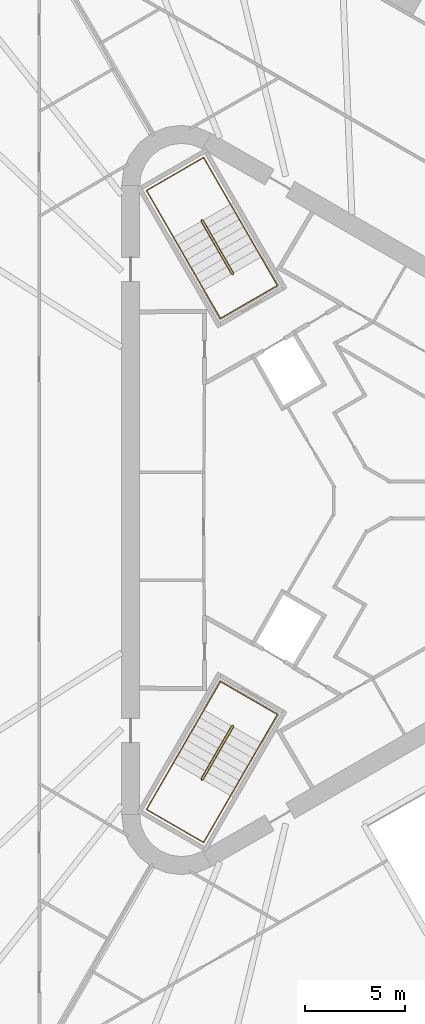
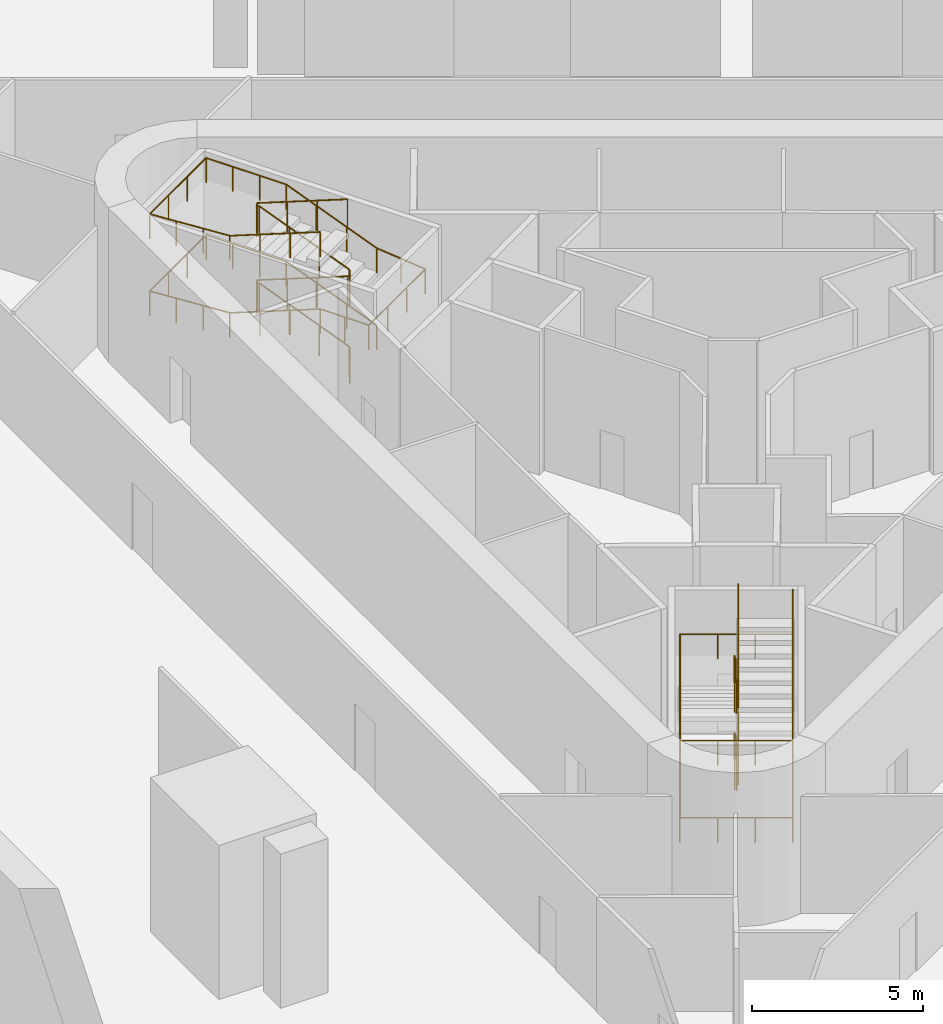
# One storey, part 12 of 13: 4 railings.
"""IFC4 building model written with IfcOpenShell, lengths in metres."""

from ifc_helpers import new_model, si_unit, direction, frame, origin, origin_2d, place, context, subcontext, project, spatial, circle, extrude, material, type_object, element, save


model = new_model("IFC4")

# Units and contexts
model_context = context("Model", 3, precision=1e-05, world=origin(), true_north=direction((0.0, 1.0)))
body_context = subcontext(model_context, "Body", "Model", "MODEL_VIEW")
ifc_project = project(units=[si_unit("LENGTHUNIT", "METRE"), si_unit("AREAUNIT", "SQUARE_METRE"), si_unit("VOLUMEUNIT", "CUBIC_METRE"), si_unit("PLANEANGLEUNIT", "RADIAN"), si_unit("MASSUNIT", "GRAM", prefix="KILO")], contexts=[model_context])

# Site, building, storey
site_placement = place(None, origin())
site = spatial("IfcSite", under=ifc_project, at=site_placement, CompositionType="ELEMENT")
building_placement = place(site_placement, origin())
building = spatial("IfcBuilding", under=site, at=building_placement, Name="Tanit Gate Tower", CompositionType="ELEMENT")
storey_placement = place(building_placement, frame((0.0, 0.0, -5.5)))
storey = spatial("IfcBuildingStorey", under=building, at=storey_placement, Name="B1", CompositionType="ELEMENT", Elevation=-5.5)

# Railings
ifc_material_1 = material(Name="Stainless steel balustrade", Category="steel")
railing_type_1 = type_object("IfcRailingType", Name="INT-STAIR-GUARD", PredefinedType="GUARDRAIL", material=ifc_material_1)
railing_1_placement = place(storey_placement, frame((-6.527099609375, 11.29345703125, 0.0)))
element("IfcRailing", 1, at=railing_1_placement, inside=storey, type_object=railing_type_1, Name="B1 S2 stair guard 1", PredefinedType="GUARDRAIL", context=body_context, shape_type="SweptSolid", body=[
    extrude(circle(Radius=0.02392578125, at=origin_2d()), frame((0.0, 0.0, 1.076171875), z_axis=(0.868243142124, 0.496138938357, 0.0), x_axis=(-0.496138938357, 0.868243142124, 0.0)), (0.0, 0.0, 1.0), 0.01171875),
    extrude(circle(Radius=0.02392578125, at=origin_2d()), frame((0.01025390625, 0.005859375, 1.076171875), z_axis=(0.098510316608, 0.367771848671, 0.924683505231), x_axis=(-0.965948051503, 0.258736085224, 0.0)), (0.0, 0.0, 1.0), 0.185791015625),
    extrude(circle(Radius=0.02392578125, at=origin_2d()), frame((0.028564453125, 0.07421875, 1.248046875), z_axis=(-0.465124729526, 0.805570708496, 0.367035174877), x_axis=(-0.866012246495, -0.500022788402, 0.0)), (0.0, 0.0, 1.0), 3.278076171875),
    extrude(circle(Radius=0.02392578125, at=origin_2d()), frame((-1.49609375, 2.71484375, 2.451171875), z_axis=(-0.965715946433, 0.259601060869, 0.0), x_axis=(-0.259601060869, -0.965715946433, 0.0)), (0.0, 0.0, 1.0), 0.070556640625),
    extrude(circle(Radius=0.02392578125, at=origin_2d()), frame((-1.564208984375, 2.733154296875, 2.451171875), z_axis=(-0.873197702015, -0.487366159264, 0.0), x_axis=(0.487366159264, -0.873197702015, 0.0)), (0.0, 0.0, 1.0), 0.011962890625),
    extrude(circle(Radius=0.02392578125, at=origin_2d()), frame((-1.57470703125, 2.727294921875, 2.451171875), z_axis=(-0.098510316608, -0.367771848671, 0.924683505231), x_axis=(0.965948051503, -0.258736085224, 0.0)), (0.0, 0.0, 1.0), 0.185791015625),
    extrude(circle(Radius=0.02392578125, at=origin_2d()), frame((-1.593017578125, 2.658935546875, 2.623046875), z_axis=(0.465124729526, -0.805570708496, 0.367035174877), x_axis=(0.866012246495, 0.500022788402, 0.0)), (0.0, 0.0, 1.0), 3.278076171875),
    extrude(circle(Radius=0.02392578125, at=origin_2d()), frame((-0.068359375, 0.018310546875, 3.826171875), z_axis=(0.965948051503, -0.258736085224, 0.0), x_axis=(0.258736085224, 0.965948051503, 0.0)), (0.0, 0.0, 1.0), 0.07080078125),
    extrude(circle(Radius=0.02392578125, at=origin_2d()), frame((0.0, 0.0, 3.826171875), z_axis=(0.868243142124, 0.496138938357, 0.0), x_axis=(-0.496138938357, 0.868243142124, 0.0)), (0.0, 0.0, 1.0), 0.01171875),
    extrude(circle(Radius=0.02392578125, at=origin_2d()), frame((0.01025390625, 0.005859375, 3.826171875), z_axis=(0.098510316608, 0.367771848671, 0.924683505231), x_axis=(-0.965948051503, 0.258736085224, 0.0)), (0.0, 0.0, 1.0), 0.185791015625),
    extrude(circle(Radius=0.02392578125, at=origin_2d()), frame((0.028564453125, 0.07421875, 3.998046875), z_axis=(-0.465124729526, 0.805570708496, 0.367035174877), x_axis=(-0.866012246495, -0.500022788402, 0.0)), (0.0, 0.0, 1.0), 3.278076171875),
    extrude(circle(Radius=0.02392578125, at=origin_2d()), frame((-1.49609375, 2.71484375, 5.201171875), z_axis=(-0.965715946433, 0.259601060869, 0.0), x_axis=(-0.259601060869, -0.965715946433, 0.0)), (0.0, 0.0, 1.0), 0.070556640625),
    extrude(circle(Radius=0.02392578125, at=origin_2d()), frame((-1.564208984375, 2.733154296875, 5.201171875), z_axis=(-0.873197702015, -0.487366159264, 0.0), x_axis=(0.487366159264, -0.873197702015, 0.0)), (0.0, 0.0, 1.0), 0.011962890625),
    extrude(circle(Radius=0.02392578125, at=origin_2d()), frame((-1.57470703125, 2.727294921875, 5.201171875), z_axis=(-0.098510316608, -0.367771848671, 0.924683505231), x_axis=(0.965948051503, -0.258736085224, 0.0)), (0.0, 0.0, 1.0), 0.185791015625),
    extrude(circle(Radius=0.02392578125, at=origin_2d()), frame((-1.593017578125, 2.658935546875, 5.373046875), z_axis=(0.465124729526, -0.805570708496, 0.367035174877), x_axis=(0.866012246495, 0.500022788402, 0.0)), (0.0, 0.0, 1.0), 3.278076171875),
    extrude(circle(Radius=0.02099609375, at=origin_2d()), origin(), (0.0, 0.0, 1.0), 1.052001953125),
    extrude(circle(Radius=0.02099609375, at=origin_2d()), frame((0.01025390625, 0.005859375, 0.0)), (0.0, 0.0, 1.0), 1.052001953125),
    extrude(circle(Radius=0.02099609375, at=origin_2d()), frame((0.028564453125, 0.07421875, 0.171875)), (0.0, 0.0, 1.0), 1.052001953125),
    extrude(circle(Radius=0.02099609375, at=origin_2d()), frame((-0.479736328125, 0.954345703125, 0.572998046875)), (0.0, 0.0, 1.0), 1.052001953125),
    extrude(circle(Radius=0.02099609375, at=origin_2d()), frame((-0.98779296875, 1.834716796875, 0.973876953125)), (0.0, 0.0, 1.0), 1.052001953125),
    extrude(circle(Radius=0.02099609375, at=origin_2d()), frame((-1.49609375, 2.71484375, 1.375)), (0.0, 0.0, 1.0), 1.052001953125),
    extrude(circle(Radius=0.02099609375, at=origin_2d()), frame((-1.564208984375, 2.733154296875, 1.375)), (0.0, 0.0, 1.0), 1.052001953125),
    extrude(circle(Radius=0.02099609375, at=origin_2d()), frame((-1.57470703125, 2.727294921875, 1.375)), (0.0, 0.0, 1.0), 1.052001953125),
    extrude(circle(Radius=0.02099609375, at=origin_2d()), frame((-1.593017578125, 2.658935546875, 1.546875)), (0.0, 0.0, 1.0), 1.052001953125),
    extrude(circle(Radius=0.02099609375, at=origin_2d()), frame((-1.084716796875, 1.77880859375, 1.947998046875)), (0.0, 0.0, 1.0), 1.052001953125),
    extrude(circle(Radius=0.02099609375, at=origin_2d()), frame((-0.57666015625, 0.8984375, 2.348876953125)), (0.0, 0.0, 1.0), 1.052001953125),
    extrude(circle(Radius=0.02099609375, at=origin_2d()), frame((-0.068359375, 0.018310546875, 2.75)), (0.0, 0.0, 1.0), 1.052001953125),
    extrude(circle(Radius=0.02099609375, at=origin_2d()), frame((0.0, 0.0, 2.75)), (0.0, 0.0, 1.0), 1.052001953125),
    extrude(circle(Radius=0.02099609375, at=origin_2d()), frame((0.01025390625, 0.005859375, 2.75)), (0.0, 0.0, 1.0), 1.052001953125),
    extrude(circle(Radius=0.02099609375, at=origin_2d()), frame((0.028564453125, 0.07421875, 2.921875)), (0.0, 0.0, 1.0), 1.052001953125),
    extrude(circle(Radius=0.02099609375, at=origin_2d()), frame((-0.479736328125, 0.954345703125, 3.322998046875)), (0.0, 0.0, 1.0), 1.052001953125),
    extrude(circle(Radius=0.02099609375, at=origin_2d()), frame((-0.98779296875, 1.834716796875, 3.723876953125)), (0.0, 0.0, 1.0), 1.052001953125),
    extrude(circle(Radius=0.02099609375, at=origin_2d()), frame((-1.49609375, 2.71484375, 4.125)), (0.0, 0.0, 1.0), 1.052001953125),
    extrude(circle(Radius=0.02099609375, at=origin_2d()), frame((-1.564208984375, 2.733154296875, 4.125)), (0.0, 0.0, 1.0), 1.052001953125),
    extrude(circle(Radius=0.02099609375, at=origin_2d()), frame((-1.57470703125, 2.727294921875, 4.125)), (0.0, 0.0, 1.0), 1.052001953125),
    extrude(circle(Radius=0.02099609375, at=origin_2d()), frame((-1.593017578125, 2.658935546875, 4.296875)), (0.0, 0.0, 1.0), 1.052001953125),
    extrude(circle(Radius=0.02099609375, at=origin_2d()), frame((-1.084716796875, 1.77880859375, 4.697998046875)), (0.0, 0.0, 1.0), 1.052001953125),
    extrude(circle(Radius=0.02099609375, at=origin_2d()), frame((-0.57666015625, 0.8984375, 5.098876953125)), (0.0, 0.0, 1.0), 1.052001953125),
    extrude(circle(Radius=0.02099609375, at=origin_2d()), frame((-0.068359375, 0.018310546875, 5.5)), (0.0, 0.0, 1.0), 1.052001953125),
])
railing_2_placement = place(storey_placement, frame((-6.51806640625, -11.2998046875, 0.0)))
element("IfcRailing", 2, at=railing_2_placement, inside=storey, type_object=railing_type_1, Name="B1 S3 stair guard 1", PredefinedType="GUARDRAIL", context=body_context, shape_type="SweptSolid", body=[
    extrude(circle(Radius=0.02392578125, at=origin_2d()), frame((0.0, 0.0, 1.076171875), z_axis=(-0.874157276122, 0.485642931179, 0.0), x_axis=(-0.485642931179, -0.874157276122, 0.0)), (0.0, 0.0, 1.0), 0.010009765625),
    extrude(circle(Radius=0.02392578125, at=origin_2d()), frame((-0.0087890625, 0.0048828125, 1.076171875), z_axis=(-0.367819126704, -0.097209340629, 0.924802375713), x_axis=(0.255512919477, -0.966805641264, 0.0)), (0.0, 0.0, 1.0), 0.185791015625),
    extrude(circle(Radius=0.02392578125, at=origin_2d()), frame((-0.0771484375, -0.01318359375, 1.248046875), z_axis=(-0.465104481216, -0.805669942413, 0.3668429711), x_axis=(0.866048339477, -0.499960272111, 0.0)), (0.0, 0.0, 1.0), 3.27978515625),
    extrude(circle(Radius=0.02392578125, at=origin_2d()), frame((-1.6025390625, -2.655517578125, 2.451171875), z_axis=(0.258736085224, -0.965948051503, 0.0), x_axis=(0.965948051503, 0.258736085224, 0.0)), (0.0, 0.0, 1.0), 0.07080078125),
    extrude(circle(Radius=0.02392578125, at=origin_2d()), frame((-1.584228515625, -2.723876953125, 2.451171875), z_axis=(0.868243142124, -0.496138938357, 0.0), x_axis=(0.496138938357, 0.868243142124, 0.0)), (0.0, 0.0, 1.0), 0.009765625),
    extrude(circle(Radius=0.02392578125, at=origin_2d()), frame((-1.57568359375, -2.728759765625, 2.451171875), z_axis=(0.367771848671, 0.098510316608, 0.924683505231), x_axis=(-0.258736085224, 0.965948051503, 0.0)), (0.0, 0.0, 1.0), 0.185791015625),
    extrude(circle(Radius=0.02392578125, at=origin_2d()), frame((-1.50732421875, -2.71044921875, 2.623046875), z_axis=(0.465190712783, 0.805615921545, 0.366852269578), x_axis=(-0.865993683553, 0.500054937028, 0.0)), (0.0, 0.0, 1.0), 3.279541015625),
    extrude(circle(Radius=0.02392578125, at=origin_2d()), frame((0.018310546875, -0.068359375, 3.826171875), z_axis=(-0.258736085224, 0.965948051503, 0.0), x_axis=(-0.965948051503, -0.258736085224, 0.0)), (0.0, 0.0, 1.0), 0.07080078125),
    extrude(circle(Radius=0.02392578125, at=origin_2d()), frame((0.0, 0.0, 3.826171875), z_axis=(-0.874157276122, 0.485642931179, 0.0), x_axis=(-0.485642931179, -0.874157276122, 0.0)), (0.0, 0.0, 1.0), 0.010009765625),
    extrude(circle(Radius=0.02392578125, at=origin_2d()), frame((-0.0087890625, 0.0048828125, 3.826171875), z_axis=(-0.367819126704, -0.097209340629, 0.924802375713), x_axis=(0.255512919477, -0.966805641264, 0.0)), (0.0, 0.0, 1.0), 0.185791015625),
    extrude(circle(Radius=0.02392578125, at=origin_2d()), frame((-0.0771484375, -0.01318359375, 3.998046875), z_axis=(-0.465104481216, -0.805669942413, 0.3668429711), x_axis=(0.866048339477, -0.499960272111, 0.0)), (0.0, 0.0, 1.0), 3.27978515625),
    extrude(circle(Radius=0.02392578125, at=origin_2d()), frame((-1.6025390625, -2.655517578125, 5.201171875), z_axis=(0.258736085224, -0.965948051503, 0.0), x_axis=(0.965948051503, 0.258736085224, 0.0)), (0.0, 0.0, 1.0), 0.07080078125),
    extrude(circle(Radius=0.02392578125, at=origin_2d()), frame((-1.584228515625, -2.723876953125, 5.201171875), z_axis=(0.868243142124, -0.496138938357, 0.0), x_axis=(0.496138938357, 0.868243142124, 0.0)), (0.0, 0.0, 1.0), 0.009765625),
    extrude(circle(Radius=0.02392578125, at=origin_2d()), frame((-1.57568359375, -2.728759765625, 5.201171875), z_axis=(0.367771848671, 0.098510316608, 0.924683505231), x_axis=(-0.258736085224, 0.965948051503, 0.0)), (0.0, 0.0, 1.0), 0.185791015625),
    extrude(circle(Radius=0.02392578125, at=origin_2d()), frame((-1.50732421875, -2.71044921875, 5.373046875), z_axis=(0.465190712783, 0.805615921545, 0.366852269578), x_axis=(-0.865993683553, 0.500054937028, 0.0)), (0.0, 0.0, 1.0), 3.279541015625),
    extrude(circle(Radius=0.02099609375, at=origin_2d()), origin(), (0.0, 0.0, 1.0), 1.052001953125),
    extrude(circle(Radius=0.02099609375, at=origin_2d()), frame((-0.0087890625, 0.0048828125, 0.0)), (0.0, 0.0, 1.0), 1.052001953125),
    extrude(circle(Radius=0.02099609375, at=origin_2d()), frame((-0.0771484375, -0.01318359375, 0.171875)), (0.0, 0.0, 1.0), 1.052001953125),
    extrude(circle(Radius=0.02099609375, at=origin_2d()), frame((-0.585693359375, -0.89404296875, 0.572998046875)), (0.0, 0.0, 1.0), 1.052001953125),
    extrude(circle(Radius=0.02099609375, at=origin_2d()), frame((-1.093994140625, -1.774658203125, 0.973876953125)), (0.0, 0.0, 1.0), 1.052001953125),
    extrude(circle(Radius=0.02099609375, at=origin_2d()), frame((-1.6025390625, -2.655517578125, 1.375)), (0.0, 0.0, 1.0), 1.052001953125),
    extrude(circle(Radius=0.02099609375, at=origin_2d()), frame((-1.584228515625, -2.723876953125, 1.375)), (0.0, 0.0, 1.0), 1.052001953125),
    extrude(circle(Radius=0.02099609375, at=origin_2d()), frame((-1.57568359375, -2.728759765625, 1.375)), (0.0, 0.0, 1.0), 1.052001953125),
    extrude(circle(Radius=0.02099609375, at=origin_2d()), frame((-1.50732421875, -2.71044921875, 1.546875)), (0.0, 0.0, 1.0), 1.052001953125),
    extrude(circle(Radius=0.02099609375, at=origin_2d()), frame((-0.998779296875, -1.829833984375, 1.947998046875)), (0.0, 0.0, 1.0), 1.052001953125),
    extrude(circle(Radius=0.02099609375, at=origin_2d()), frame((-0.490234375, -0.948974609375, 2.348876953125)), (0.0, 0.0, 1.0), 1.052001953125),
    extrude(circle(Radius=0.02099609375, at=origin_2d()), frame((0.018310546875, -0.068359375, 2.75)), (0.0, 0.0, 1.0), 1.052001953125),
    extrude(circle(Radius=0.02099609375, at=origin_2d()), frame((0.0, 0.0, 2.75)), (0.0, 0.0, 1.0), 1.052001953125),
    extrude(circle(Radius=0.02099609375, at=origin_2d()), frame((-0.0087890625, 0.0048828125, 2.75)), (0.0, 0.0, 1.0), 1.052001953125),
    extrude(circle(Radius=0.02099609375, at=origin_2d()), frame((-0.0771484375, -0.01318359375, 2.921875)), (0.0, 0.0, 1.0), 1.052001953125),
    extrude(circle(Radius=0.02099609375, at=origin_2d()), frame((-0.585693359375, -0.89404296875, 3.322998046875)), (0.0, 0.0, 1.0), 1.052001953125),
    extrude(circle(Radius=0.02099609375, at=origin_2d()), frame((-1.093994140625, -1.774658203125, 3.723876953125)), (0.0, 0.0, 1.0), 1.052001953125),
    extrude(circle(Radius=0.02099609375, at=origin_2d()), frame((-1.6025390625, -2.655517578125, 4.125)), (0.0, 0.0, 1.0), 1.052001953125),
    extrude(circle(Radius=0.02099609375, at=origin_2d()), frame((-1.584228515625, -2.723876953125, 4.125)), (0.0, 0.0, 1.0), 1.052001953125),
    extrude(circle(Radius=0.02099609375, at=origin_2d()), frame((-1.57568359375, -2.728759765625, 4.125)), (0.0, 0.0, 1.0), 1.052001953125),
    extrude(circle(Radius=0.02099609375, at=origin_2d()), frame((-1.50732421875, -2.71044921875, 4.296875)), (0.0, 0.0, 1.0), 1.052001953125),
    extrude(circle(Radius=0.02099609375, at=origin_2d()), frame((-0.998779296875, -1.829833984375, 4.697998046875)), (0.0, 0.0, 1.0), 1.052001953125),
    extrude(circle(Radius=0.02099609375, at=origin_2d()), frame((-0.490234375, -0.948974609375, 5.098876953125)), (0.0, 0.0, 1.0), 1.052001953125),
    extrude(circle(Radius=0.02099609375, at=origin_2d()), frame((0.018310546875, -0.068359375, 5.5)), (0.0, 0.0, 1.0), 1.052001953125),
])
ifc_material_2 = material(Name="Stainless steel handrail", Category="steel")
railing_type_2 = type_object("IfcRailingType", Name="INT-STAIR-HANDRAIL", PredefinedType="HANDRAIL", material=ifc_material_2)
railing_3_placement = place(storey_placement, frame((-5.1181640625, 12.164794921875, 0.171875)))
element("IfcRailing", 3, at=railing_3_placement, inside=storey, type_object=railing_type_2, Name="B1 S2 stair handrail 1", PredefinedType="HANDRAIL", context=body_context, shape_type="SweptSolid", body=[
    extrude(circle(Radius=0.02392578125, at=origin_2d()), frame((0.0, 0.0, 0.8759765625), z_axis=(-0.465066359932, 0.805598614514, 0.367047889453), x_axis=(-0.866046917185, -0.499962735845, 0.0)), (0.0, 0.0, 1.0), 3.27783203125),
    extrude(circle(Radius=0.02392578125, at=origin_2d()), frame((-1.5244140625, 2.640625, 2.0791015625), z_axis=(-0.500019123664, 0.86601436245, 0.0), x_axis=(-0.86601436245, -0.500019123664, 0.0)), (0.0, 0.0, 1.0), 2.70703125),
    extrude(circle(Radius=0.02392578125, at=origin_2d()), frame((-2.8779296875, 4.98486328125, 2.0791015625), z_axis=(-0.866008176907, -0.50002983664, 0.0), x_axis=(0.50002983664, -0.866008176907, 0.0)), (0.0, 0.0, 1.0), 3.300048828125),
    extrude(circle(Radius=0.02392578125, at=origin_2d()), frame((-5.73583984375, 3.334716796875, 2.0791015625), z_axis=(0.499053057293, -0.864251154955, 0.063371816799), x_axis=(0.865991810323, 0.500058181068, 0.0)), (0.0, 0.0, 1.0), 2.712158203125),
    extrude(circle(Radius=0.02392578125, at=origin_2d()), frame((-4.38232421875, 0.99072265625, 2.2509765625), z_axis=(0.465096823945, -0.80559685262, 0.367013154267), x_axis=(0.866032263162, 0.499988119021, 0.0)), (0.0, 0.0, 1.0), 3.278076171875),
    extrude(circle(Radius=0.02392578125, at=origin_2d()), frame((-2.857666015625, -1.650146484375, 3.4541015625), z_axis=(0.499941024108, -0.866059450854, 0.0), x_axis=(0.866059450854, 0.499941024108, 0.0)), (0.0, 0.0, 1.0), 1.643798828125),
    extrude(circle(Radius=0.02392578125, at=origin_2d()), frame((-2.035888671875, -3.07373046875, 3.4541015625), z_axis=(0.866040211805, 0.499974350878, 0.0), x_axis=(-0.499974350878, 0.866040211805, 0.0)), (0.0, 0.0, 1.0), 3.300048828125),
    extrude(circle(Radius=0.02392578125, at=origin_2d()), frame((0.822021484375, -1.423828125, 3.4541015625), z_axis=(-0.497278129023, 0.861338297732, 0.103974993416), x_axis=(-0.866032269107, -0.499988108725, 0.0)), (0.0, 0.0, 1.0), 1.653076171875),
    extrude(circle(Radius=0.02392578125, at=origin_2d()), frame((0.0, 0.0, 3.6259765625), z_axis=(-0.465066359932, 0.805598614514, 0.367047889453), x_axis=(-0.866046917185, -0.499962735845, 0.0)), (0.0, 0.0, 1.0), 3.27783203125),
    extrude(circle(Radius=0.02392578125, at=origin_2d()), frame((-1.5244140625, 2.640625, 4.8291015625), z_axis=(-0.500019123664, 0.86601436245, 0.0), x_axis=(-0.86601436245, -0.500019123664, 0.0)), (0.0, 0.0, 1.0), 2.70703125),
    extrude(circle(Radius=0.02392578125, at=origin_2d()), frame((-2.8779296875, 4.98486328125, 4.8291015625), z_axis=(-0.866008176907, -0.50002983664, 0.0), x_axis=(0.50002983664, -0.866008176907, 0.0)), (0.0, 0.0, 1.0), 3.300048828125),
    extrude(circle(Radius=0.02392578125, at=origin_2d()), frame((-5.73583984375, 3.334716796875, 4.8291015625), z_axis=(0.499053057293, -0.864251154955, 0.063371816799), x_axis=(0.865991810323, 0.500058181068, 0.0)), (0.0, 0.0, 1.0), 2.712158203125),
    extrude(circle(Radius=0.02392578125, at=origin_2d()), frame((-4.38232421875, 0.99072265625, 5.0009765625), z_axis=(0.465096823945, -0.80559685262, 0.367013154267), x_axis=(0.866032263162, 0.499988119021, 0.0)), (0.0, 0.0, 1.0), 3.278076171875),
    extrude(circle(Radius=0.02099609375, at=origin_2d()), origin(), (0.0, 0.0, 1.0), 0.851806640625),
    extrude(circle(Radius=0.02099609375, at=origin_2d()), frame((-0.508056640625, 0.880126953125, 0.401123046875)), (0.0, 0.0, 1.0), 0.851806640625),
    extrude(circle(Radius=0.02099609375, at=origin_2d()), frame((-1.016357421875, 1.760498046875, 0.802001953125)), (0.0, 0.0, 1.0), 0.851806640625),
    extrude(circle(Radius=0.02099609375, at=origin_2d()), frame((-1.5244140625, 2.640625, 1.203125)), (0.0, 0.0, 1.0), 0.851806640625),
    extrude(circle(Radius=0.02099609375, at=origin_2d()), frame((-1.9755859375, 3.422119140625, 1.203125)), (0.0, 0.0, 1.0), 0.851806640625),
    extrude(circle(Radius=0.02099609375, at=origin_2d()), frame((-2.4267578125, 4.203369140625, 1.203125)), (0.0, 0.0, 1.0), 0.851806640625),
    extrude(circle(Radius=0.02099609375, at=origin_2d()), frame((-2.8779296875, 4.98486328125, 1.203125)), (0.0, 0.0, 1.0), 0.851806640625),
    extrude(circle(Radius=0.02099609375, at=origin_2d()), frame((-3.83056640625, 4.434814453125, 1.203125)), (0.0, 0.0, 1.0), 0.851806640625),
    extrude(circle(Radius=0.02099609375, at=origin_2d()), frame((-4.783203125, 3.884765625, 1.203125)), (0.0, 0.0, 1.0), 0.851806640625),
    extrude(circle(Radius=0.02099609375, at=origin_2d()), frame((-5.73583984375, 3.334716796875, 1.203125)), (0.0, 0.0, 1.0), 0.851806640625),
    extrude(circle(Radius=0.02099609375, at=origin_2d()), frame((-5.28466796875, 2.553466796875, 1.260498046875)), (0.0, 0.0, 1.0), 0.851806640625),
    extrude(circle(Radius=0.02099609375, at=origin_2d()), frame((-4.83349609375, 1.77197265625, 1.317626953125)), (0.0, 0.0, 1.0), 0.851806640625),
    extrude(circle(Radius=0.02099609375, at=origin_2d()), frame((-4.38232421875, 0.99072265625, 1.375)), (0.0, 0.0, 1.0), 0.851806640625),
    extrude(circle(Radius=0.02099609375, at=origin_2d()), frame((-3.8740234375, 0.1103515625, 1.776123046875)), (0.0, 0.0, 1.0), 0.851806640625),
    extrude(circle(Radius=0.02099609375, at=origin_2d()), frame((-3.365966796875, -0.769775390625, 2.177001953125)), (0.0, 0.0, 1.0), 0.851806640625),
    extrude(circle(Radius=0.02099609375, at=origin_2d()), frame((-2.857666015625, -1.650146484375, 2.578125)), (0.0, 0.0, 1.0), 0.851806640625),
    extrude(circle(Radius=0.02099609375, at=origin_2d()), frame((-2.44677734375, -2.36181640625, 2.578125)), (0.0, 0.0, 1.0), 0.851806640625),
    extrude(circle(Radius=0.02099609375, at=origin_2d()), frame((-2.035888671875, -3.07373046875, 2.578125)), (0.0, 0.0, 1.0), 0.851806640625),
    extrude(circle(Radius=0.02099609375, at=origin_2d()), frame((-1.083251953125, -2.523681640625, 2.578125)), (0.0, 0.0, 1.0), 0.851806640625),
    extrude(circle(Radius=0.02099609375, at=origin_2d()), frame((-0.130615234375, -1.973876953125, 2.578125)), (0.0, 0.0, 1.0), 0.851806640625),
    extrude(circle(Radius=0.02099609375, at=origin_2d()), frame((0.822021484375, -1.423828125, 2.578125)), (0.0, 0.0, 1.0), 0.851806640625),
    extrude(circle(Radius=0.02099609375, at=origin_2d()), frame((0.4111328125, -0.7119140625, 2.6640625)), (0.0, 0.0, 1.0), 0.851806640625),
    extrude(circle(Radius=0.02099609375, at=origin_2d()), frame((0.0, 0.0, 2.75)), (0.0, 0.0, 1.0), 0.851806640625),
    extrude(circle(Radius=0.02099609375, at=origin_2d()), frame((-0.508056640625, 0.880126953125, 3.151123046875)), (0.0, 0.0, 1.0), 0.851806640625),
    extrude(circle(Radius=0.02099609375, at=origin_2d()), frame((-1.016357421875, 1.760498046875, 3.552001953125)), (0.0, 0.0, 1.0), 0.851806640625),
    extrude(circle(Radius=0.02099609375, at=origin_2d()), frame((-1.5244140625, 2.640625, 3.953125)), (0.0, 0.0, 1.0), 0.851806640625),
    extrude(circle(Radius=0.02099609375, at=origin_2d()), frame((-1.9755859375, 3.422119140625, 3.953125)), (0.0, 0.0, 1.0), 0.851806640625),
    extrude(circle(Radius=0.02099609375, at=origin_2d()), frame((-2.4267578125, 4.203369140625, 3.953125)), (0.0, 0.0, 1.0), 0.851806640625),
    extrude(circle(Radius=0.02099609375, at=origin_2d()), frame((-2.8779296875, 4.98486328125, 3.953125)), (0.0, 0.0, 1.0), 0.851806640625),
    extrude(circle(Radius=0.02099609375, at=origin_2d()), frame((-3.83056640625, 4.434814453125, 3.953125)), (0.0, 0.0, 1.0), 0.851806640625),
    extrude(circle(Radius=0.02099609375, at=origin_2d()), frame((-4.783203125, 3.884765625, 3.953125)), (0.0, 0.0, 1.0), 0.851806640625),
    extrude(circle(Radius=0.02099609375, at=origin_2d()), frame((-5.73583984375, 3.334716796875, 3.953125)), (0.0, 0.0, 1.0), 0.851806640625),
    extrude(circle(Radius=0.02099609375, at=origin_2d()), frame((-5.28466796875, 2.553466796875, 4.010498046875)), (0.0, 0.0, 1.0), 0.851806640625),
    extrude(circle(Radius=0.02099609375, at=origin_2d()), frame((-4.83349609375, 1.77197265625, 4.067626953125)), (0.0, 0.0, 1.0), 0.851806640625),
    extrude(circle(Radius=0.02099609375, at=origin_2d()), frame((-4.38232421875, 0.99072265625, 4.125)), (0.0, 0.0, 1.0), 0.851806640625),
    extrude(circle(Radius=0.02099609375, at=origin_2d()), frame((-3.8740234375, 0.1103515625, 4.526123046875)), (0.0, 0.0, 1.0), 0.851806640625),
    extrude(circle(Radius=0.02099609375, at=origin_2d()), frame((-3.365966796875, -0.769775390625, 4.927001953125)), (0.0, 0.0, 1.0), 0.851806640625),
    extrude(circle(Radius=0.02099609375, at=origin_2d()), frame((-2.857666015625, -1.650146484375, 5.328125)), (0.0, 0.0, 1.0), 0.851806640625),
])
railing_4_placement = place(storey_placement, frame((-7.9765625, -10.515625, 0.171875)))
element("IfcRailing", 4, at=railing_4_placement, inside=storey, type_object=railing_type_2, Name="B1 S3 stair handrail 1", PredefinedType="HANDRAIL", context=body_context, shape_type="SweptSolid", body=[
    extrude(circle(Radius=0.02392578125, at=origin_2d()), frame((0.0, 0.0, 0.8759765625), z_axis=(-0.465104481216, -0.805669942413, 0.3668429711), x_axis=(0.866048339477, -0.499960272111, 0.0)), (0.0, 0.0, 1.0), 3.27978515625),
    extrude(circle(Radius=0.02392578125, at=origin_2d()), frame((-1.525390625, -2.642333984375, 2.0791015625), z_axis=(-0.50004290449, -0.866000631449, 0.0), x_axis=(0.866000631449, -0.50004290449, 0.0)), (0.0, 0.0, 1.0), 2.703857421875),
    extrude(circle(Radius=0.02392578125, at=origin_2d()), frame((-2.87744140625, -4.98388671875, 2.0791015625), z_axis=(0.866008176907, -0.50002983664, 0.0), x_axis=(0.50002983664, 0.866008176907, 0.0)), (0.0, 0.0, 1.0), 3.300048828125),
    extrude(circle(Radius=0.02392578125, at=origin_2d()), frame((-0.01953125, -6.634033203125, 2.0791015625), z_axis=(0.498996838331, 0.864279103154, 0.063433328672), x_axis=(-0.866023205937, 0.500003806764, 0.0)), (0.0, 0.0, 1.0), 2.70947265625),
    extrude(circle(Radius=0.02392578125, at=origin_2d()), frame((1.33251953125, -4.292236328125, 2.2509765625), z_axis=(0.465104481216, 0.805669942413, 0.3668429711), x_axis=(-0.866048339477, 0.499960272111, 0.0)), (0.0, 0.0, 1.0), 3.27978515625),
    extrude(circle(Radius=0.02392578125, at=origin_2d()), frame((2.85791015625, -1.64990234375, 3.4541015625), z_axis=(0.50001794124, 0.866015045157, 0.0), x_axis=(-0.866015045157, 0.50001794124, 0.0)), (0.0, 0.0, 1.0), 1.64501953125),
    extrude(circle(Radius=0.02392578125, at=origin_2d()), frame((3.680419921875, -0.225341796875, 3.4541015625), z_axis=(-0.866040211805, 0.499974350878, 0.0), x_axis=(-0.499974350878, -0.866040211805, 0.0)), (0.0, 0.0, 1.0), 3.300048828125),
    extrude(circle(Radius=0.02392578125, at=origin_2d()), frame((0.822509765625, 1.424560546875, 3.4541015625), z_axis=(-0.497310670134, -0.861326138389, 0.103920068796), x_axis=(0.866015045157, -0.50001794124, 0.0)), (0.0, 0.0, 1.0), 1.65380859375),
    extrude(circle(Radius=0.02392578125, at=origin_2d()), frame((0.0, 0.0, 3.6259765625), z_axis=(-0.465104481216, -0.805669942413, 0.3668429711), x_axis=(0.866048339477, -0.499960272111, 0.0)), (0.0, 0.0, 1.0), 3.27978515625),
    extrude(circle(Radius=0.02392578125, at=origin_2d()), frame((-1.525390625, -2.642333984375, 4.8291015625), z_axis=(-0.50004290449, -0.866000631449, 0.0), x_axis=(0.866000631449, -0.50004290449, 0.0)), (0.0, 0.0, 1.0), 2.703857421875),
    extrude(circle(Radius=0.02392578125, at=origin_2d()), frame((-2.87744140625, -4.98388671875, 4.8291015625), z_axis=(0.866008176907, -0.50002983664, 0.0), x_axis=(0.50002983664, 0.866008176907, 0.0)), (0.0, 0.0, 1.0), 3.300048828125),
    extrude(circle(Radius=0.02392578125, at=origin_2d()), frame((-0.01953125, -6.634033203125, 4.8291015625), z_axis=(0.498996838331, 0.864279103154, 0.063433328672), x_axis=(-0.866023205937, 0.500003806764, 0.0)), (0.0, 0.0, 1.0), 2.70947265625),
    extrude(circle(Radius=0.02392578125, at=origin_2d()), frame((1.33251953125, -4.292236328125, 5.0009765625), z_axis=(0.465104481216, 0.805669942413, 0.3668429711), x_axis=(-0.866048339477, 0.499960272111, 0.0)), (0.0, 0.0, 1.0), 3.27978515625),
    extrude(circle(Radius=0.02099609375, at=origin_2d()), origin(), (0.0, 0.0, 1.0), 0.851806640625),
    extrude(circle(Radius=0.02099609375, at=origin_2d()), frame((-0.508544921875, -0.880859375, 0.401123046875)), (0.0, 0.0, 1.0), 0.851806640625),
    extrude(circle(Radius=0.02099609375, at=origin_2d()), frame((-1.016845703125, -1.761474609375, 0.802001953125)), (0.0, 0.0, 1.0), 0.851806640625),
    extrude(circle(Radius=0.02099609375, at=origin_2d()), frame((-1.525390625, -2.642333984375, 1.203125)), (0.0, 0.0, 1.0), 0.851806640625),
    extrude(circle(Radius=0.02099609375, at=origin_2d()), frame((-1.97607421875, -3.4228515625, 1.203125)), (0.0, 0.0, 1.0), 0.851806640625),
    extrude(circle(Radius=0.02099609375, at=origin_2d()), frame((-2.4267578125, -4.203369140625, 1.203125)), (0.0, 0.0, 1.0), 0.851806640625),
    extrude(circle(Radius=0.02099609375, at=origin_2d()), frame((-2.87744140625, -4.98388671875, 1.203125)), (0.0, 0.0, 1.0), 0.851806640625),
    extrude(circle(Radius=0.02099609375, at=origin_2d()), frame((-1.9248046875, -5.533935546875, 1.203125)), (0.0, 0.0, 1.0), 0.851806640625),
    extrude(circle(Radius=0.02099609375, at=origin_2d()), frame((-0.97216796875, -6.083984375, 1.203125)), (0.0, 0.0, 1.0), 0.851806640625),
    extrude(circle(Radius=0.02099609375, at=origin_2d()), frame((-0.01953125, -6.634033203125, 1.203125)), (0.0, 0.0, 1.0), 0.851806640625),
    extrude(circle(Radius=0.02099609375, at=origin_2d()), frame((0.43115234375, -5.853515625, 1.260498046875)), (0.0, 0.0, 1.0), 0.851806640625),
    extrude(circle(Radius=0.02099609375, at=origin_2d()), frame((0.8818359375, -5.07275390625, 1.317626953125)), (0.0, 0.0, 1.0), 0.851806640625),
    extrude(circle(Radius=0.02099609375, at=origin_2d()), frame((1.33251953125, -4.292236328125, 1.375)), (0.0, 0.0, 1.0), 0.851806640625),
    extrude(circle(Radius=0.02099609375, at=origin_2d()), frame((1.841064453125, -3.411376953125, 1.776123046875)), (0.0, 0.0, 1.0), 0.851806640625),
    extrude(circle(Radius=0.02099609375, at=origin_2d()), frame((2.349365234375, -2.53076171875, 2.177001953125)), (0.0, 0.0, 1.0), 0.851806640625),
    extrude(circle(Radius=0.02099609375, at=origin_2d()), frame((2.85791015625, -1.64990234375, 2.578125)), (0.0, 0.0, 1.0), 0.851806640625),
    extrude(circle(Radius=0.02099609375, at=origin_2d()), frame((3.26904296875, -0.9375, 2.578125)), (0.0, 0.0, 1.0), 0.851806640625),
    extrude(circle(Radius=0.02099609375, at=origin_2d()), frame((3.680419921875, -0.225341796875, 2.578125)), (0.0, 0.0, 1.0), 0.851806640625),
    extrude(circle(Radius=0.02099609375, at=origin_2d()), frame((2.727783203125, 0.32470703125, 2.578125)), (0.0, 0.0, 1.0), 0.851806640625),
    extrude(circle(Radius=0.02099609375, at=origin_2d()), frame((1.775146484375, 0.87451171875, 2.578125)), (0.0, 0.0, 1.0), 0.851806640625),
    extrude(circle(Radius=0.02099609375, at=origin_2d()), frame((0.822509765625, 1.424560546875, 2.578125)), (0.0, 0.0, 1.0), 0.851806640625),
    extrude(circle(Radius=0.02099609375, at=origin_2d()), frame((0.4111328125, 0.71240234375, 2.6640625)), (0.0, 0.0, 1.0), 0.851806640625),
    extrude(circle(Radius=0.02099609375, at=origin_2d()), frame((0.0, 0.0, 2.75)), (0.0, 0.0, 1.0), 0.851806640625),
    extrude(circle(Radius=0.02099609375, at=origin_2d()), frame((-0.508544921875, -0.880859375, 3.151123046875)), (0.0, 0.0, 1.0), 0.851806640625),
    extrude(circle(Radius=0.02099609375, at=origin_2d()), frame((-1.016845703125, -1.761474609375, 3.552001953125)), (0.0, 0.0, 1.0), 0.851806640625),
    extrude(circle(Radius=0.02099609375, at=origin_2d()), frame((-1.525390625, -2.642333984375, 3.953125)), (0.0, 0.0, 1.0), 0.851806640625),
    extrude(circle(Radius=0.02099609375, at=origin_2d()), frame((-1.97607421875, -3.4228515625, 3.953125)), (0.0, 0.0, 1.0), 0.851806640625),
    extrude(circle(Radius=0.02099609375, at=origin_2d()), frame((-2.4267578125, -4.203369140625, 3.953125)), (0.0, 0.0, 1.0), 0.851806640625),
    extrude(circle(Radius=0.02099609375, at=origin_2d()), frame((-2.87744140625, -4.98388671875, 3.953125)), (0.0, 0.0, 1.0), 0.851806640625),
    extrude(circle(Radius=0.02099609375, at=origin_2d()), frame((-1.9248046875, -5.533935546875, 3.953125)), (0.0, 0.0, 1.0), 0.851806640625),
    extrude(circle(Radius=0.02099609375, at=origin_2d()), frame((-0.97216796875, -6.083984375, 3.953125)), (0.0, 0.0, 1.0), 0.851806640625),
    extrude(circle(Radius=0.02099609375, at=origin_2d()), frame((-0.01953125, -6.634033203125, 3.953125)), (0.0, 0.0, 1.0), 0.851806640625),
    extrude(circle(Radius=0.02099609375, at=origin_2d()), frame((0.43115234375, -5.853515625, 4.010498046875)), (0.0, 0.0, 1.0), 0.851806640625),
    extrude(circle(Radius=0.02099609375, at=origin_2d()), frame((0.8818359375, -5.07275390625, 4.067626953125)), (0.0, 0.0, 1.0), 0.851806640625),
    extrude(circle(Radius=0.02099609375, at=origin_2d()), frame((1.33251953125, -4.292236328125, 4.125)), (0.0, 0.0, 1.0), 0.851806640625),
    extrude(circle(Radius=0.02099609375, at=origin_2d()), frame((1.841064453125, -3.411376953125, 4.526123046875)), (0.0, 0.0, 1.0), 0.851806640625),
    extrude(circle(Radius=0.02099609375, at=origin_2d()), frame((2.349365234375, -2.53076171875, 4.927001953125)), (0.0, 0.0, 1.0), 0.851806640625),
    extrude(circle(Radius=0.02099609375, at=origin_2d()), frame((2.85791015625, -1.64990234375, 5.328125)), (0.0, 0.0, 1.0), 0.851806640625),
])

save(model, "model.ifc")
